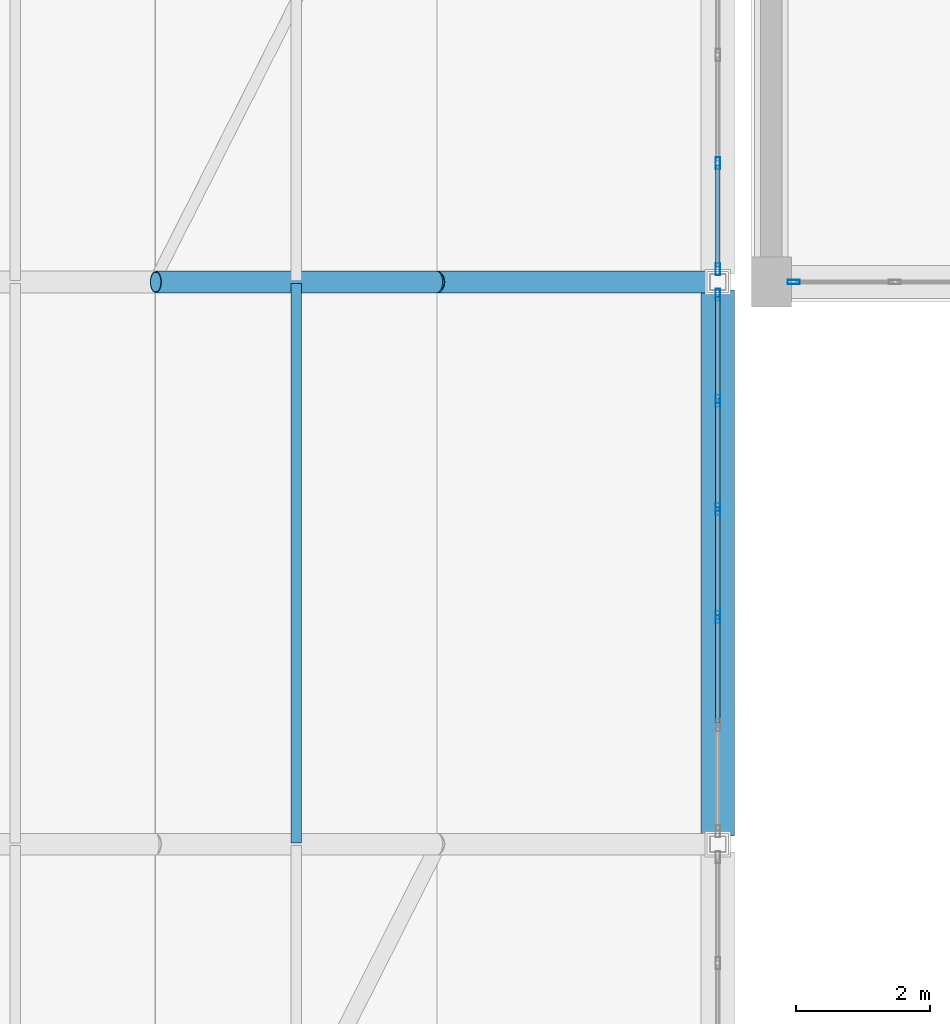
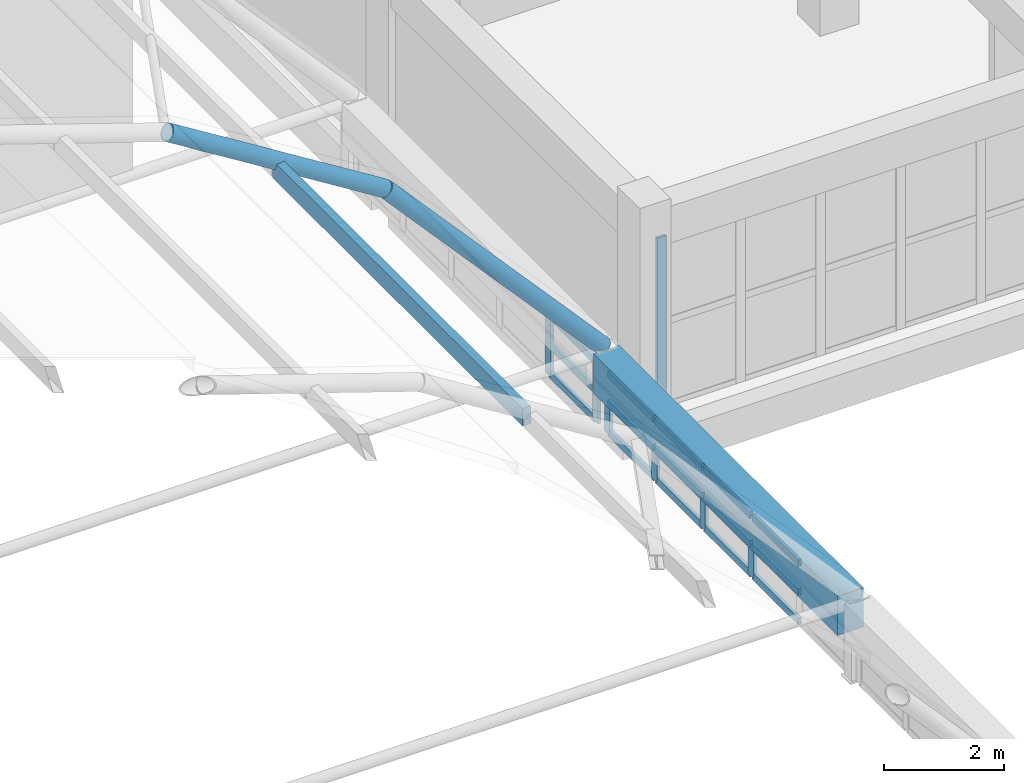
# One storey, part 69 of 114: 23 members, 3 beams, 3 elements without a shape of their own.
"""IFC4 building model written with IfcOpenShell, lengths in metres."""

from ifc_helpers import new_model, si_unit, direction, frame, origin, origin_2d, place, context, subcontext, project, spatial, rectangle, hollow_rectangle, hollow_circle, extrude, material, layer, layer_set, material_profile, profile_set, type_object, element, aggregate, save


model = new_model("IFC4")

# Units and contexts
model_context = context("Model", 3, precision=1e-05, world=origin(), true_north=direction((0.0, 1.0)))
body_context = subcontext(model_context, "Body", "Model", "MODEL_VIEW")
ifc_project = project(units=[si_unit("LENGTHUNIT", "METRE"), si_unit("AREAUNIT", "SQUARE_METRE"), si_unit("VOLUMEUNIT", "CUBIC_METRE"), si_unit("PLANEANGLEUNIT", "RADIAN"), si_unit("MASSUNIT", "GRAM", prefix="KILO")], contexts=[model_context])

# Site, building, storey
site_placement = place(None, origin())
site = spatial("IfcSite", under=ifc_project, at=site_placement, CompositionType="ELEMENT")
building_placement = place(site_placement, origin())
building = spatial("IfcBuilding", under=site, at=building_placement, Name="Xazarin Passage Department Store", CompositionType="ELEMENT")
storey_placement = place(building_placement, frame((0.0, 0.0, 14.39990234375)))
storey = spatial("IfcBuildingStorey", under=building, at=storey_placement, Name="L03", CompositionType="ELEMENT", Elevation=14.39990234375)

# Curtain wall, member
ifc_material_1 = material(Name="Bronze anodised aluminium", Category="aluminium")
ifc_layer_1 = layer(ifc_material_1, 0.1650390625)
ifc_layer_set_1 = layer_set([ifc_layer_1], Name="Bronze anodised aluminium")
curtain_wall_type_1 = type_object("IfcCurtainWallType", Name="ARC-CW-OFF1", PredefinedType="NOTDEFINED", material=ifc_layer_set_1)
curtain_wall_1_placement = place(storey_placement, origin())
curtain_wall_1 = element("IfcCurtainWall", 1, at=curtain_wall_1_placement, inside=storey, type_object=curtain_wall_type_1, Name="L03 V4 Curtain Wall 135", PredefinedType="NOTDEFINED")
ifc_material_profile_1 = material_profile(ifc_material_1, hollow_rectangle(XDim=0.06494140625, YDim=0.179931640625, WallThickness=0.00390625, at=origin_2d()), Name="ALU 65x180")
ifc_profile_set_1 = profile_set([ifc_material_profile_1], Name="Bronze anodised aluminium")
member_type_1 = type_object("IfcMemberType", Name="ARC-CWM-65x180", PredefinedType="MULLION", material=ifc_profile_set_1)
member_1_placement = place(storey_placement, frame((102.732421875, 84.800048828125, 0.0), z_axis=(0.0, 0.0, 1.0), x_axis=(0.0, 1.0, 0.0)))
member_1 = element("IfcMember", 2, at=member_1_placement, type_object=member_type_1, Name="CW6 mullion 1", PredefinedType="MULLION", context=body_context, shape_type="SweptSolid", body=[
    extrude(hollow_rectangle(XDim=0.06494140625, YDim=0.179931640625, WallThickness=0.00390625, at=origin_2d()), origin(), (0.0, 0.0, 1.0), 3.489990234375),
])
aggregate(curtain_wall_1, [member_1])

# Curtain wall, members
ifc_layer_2 = layer(ifc_material_1, 0.159912109375)
ifc_layer_set_2 = layer_set([ifc_layer_2], Name="Bronze anodised aluminium")
curtain_wall_type_2 = type_object("IfcCurtainWallType", Name="ARC-CW-ARC1", PredefinedType="NOTDEFINED", material=ifc_layer_set_2)
curtain_wall_2_placement = place(storey_placement, origin())
curtain_wall_2 = element("IfcCurtainWall", 3, at=curtain_wall_2_placement, inside=storey, type_object=curtain_wall_type_2, Name="L03 V2N Galleria Clerestory Curtain Wall 4E", PredefinedType="NOTDEFINED")
member_2_placement = place(storey_placement, frame((101.60009765625, 79.7919921875, 0.0), z_axis=(0.0, 0.0, 1.0), x_axis=(-1.0, 0.0, 0.0)))
member_2 = element("IfcMember", 4, at=member_2_placement, type_object=member_type_1, Name="CW3 mullion 3", PredefinedType="MULLION", context=body_context, shape_type="SweptSolid", body=[
    extrude(hollow_rectangle(XDim=0.06494140625, YDim=0.179931640625, WallThickness=0.00390625, at=origin_2d()), origin(), (0.0, 0.0, 1.0), 1.251708984375),
])
member_3_placement = place(storey_placement, frame((101.60009765625, 81.407958984375, 0.0), z_axis=(0.0, 0.0, 1.0), x_axis=(-1.0, 0.0, 0.0)))
member_3 = element("IfcMember", 5, at=member_3_placement, type_object=member_type_1, Name="CW3 mullion 4", PredefinedType="MULLION", context=body_context, shape_type="SweptSolid", body=[
    extrude(hollow_rectangle(XDim=0.06494140625, YDim=0.179931640625, WallThickness=0.00390625, at=origin_2d()), origin(), (0.0, 0.0, 1.0), 1.251708984375),
])
member_4_placement = place(storey_placement, frame((101.60009765625, 83.02392578125, 0.0), z_axis=(0.0, 0.0, 1.0), x_axis=(-1.0, 0.0, 0.0)))
member_4 = element("IfcMember", 6, at=member_4_placement, type_object=member_type_1, Name="CW3 mullion 5", PredefinedType="MULLION", context=body_context, shape_type="SweptSolid", body=[
    extrude(hollow_rectangle(XDim=0.06494140625, YDim=0.179931640625, WallThickness=0.00390625, at=origin_2d()), origin(), (0.0, 0.0, 1.0), 1.251708984375),
])
member_5_placement = place(storey_placement, frame((101.60009765625, 84.607421875, 0.0), z_axis=(0.0, 0.0, 1.0), x_axis=(-1.0, 0.0, 0.0)))
member_5 = element("IfcMember", 7, at=member_5_placement, type_object=member_type_1, Name="CW3 mullion 6", PredefinedType="MULLION", context=body_context, shape_type="SweptSolid", body=[
    extrude(hollow_rectangle(XDim=0.06494140625, YDim=0.179931640625, WallThickness=0.00390625, at=origin_2d()), origin(), (0.0, 0.0, 1.0), 1.251708984375),
])

curtain_wall_3_placement = place(storey_placement, origin())
curtain_wall_3 = element("IfcCurtainWall", 8, at=curtain_wall_3_placement, inside=storey, type_object=curtain_wall_type_2, Name="L03 V2N Galleria Clerestory Curtain Wall 5E", PredefinedType="NOTDEFINED")
member_6_placement = place(storey_placement, frame((101.60009765625, 84.992431640625, 0.0), z_axis=(0.0, 0.0, 1.0), x_axis=(-1.0, 0.0, 0.0)))
member_6 = element("IfcMember", 9, at=member_6_placement, type_object=member_type_1, Name="CW3 mullion 1", PredefinedType="MULLION", context=body_context, shape_type="SweptSolid", body=[
    extrude(hollow_rectangle(XDim=0.06494140625, YDim=0.179931640625, WallThickness=0.00390625, at=origin_2d()), origin(), (0.0, 0.0, 1.0), 1.251708984375),
])
member_7_placement = place(storey_placement, frame((101.60009765625, 86.575927734375, 0.0), z_axis=(0.0, 0.0, 1.0), x_axis=(-1.0, 0.0, 0.0)))
member_7 = element("IfcMember", 10, at=member_7_placement, type_object=member_type_1, Name="CW3 mullion 2", PredefinedType="MULLION", context=body_context, shape_type="SweptSolid", body=[
    extrude(hollow_rectangle(XDim=0.06494140625, YDim=0.179931640625, WallThickness=0.00390625, at=origin_2d()), origin(), (0.0, 0.0, 1.0), 1.251708984375),
])

# Member
ifc_material_profile_2 = material_profile(ifc_material_1, hollow_rectangle(XDim=0.06494140625, YDim=0.139892578125, WallThickness=0.00390625, at=origin_2d()), Name="ALU 65x140")
ifc_profile_set_2 = profile_set([ifc_material_profile_2], Name="Bronze anodised aluminium")
member_type_2 = type_object("IfcMemberType", Name="ARC-CWT-65x140", PredefinedType="USERDEFINED", material=ifc_profile_set_2)
member_8_placement = place(storey_placement, frame((101.60009765625, 78.20849609375, 0.03271484375), z_axis=(0.0, 1.0, 0.0), x_axis=(-1.0, 0.0, 0.0)))
member_8 = element("IfcMember", 11, at=member_8_placement, type_object=member_type_2, Name="CW3 transom 2.1", ObjectType="TRANSOM", PredefinedType="USERDEFINED", context=body_context, shape_type="SweptSolid", body=[
    extrude(hollow_rectangle(XDim=0.06494140625, YDim=0.139892578125, WallThickness=0.00390625, at=origin_2d()), origin(), (0.0, 0.0, 1.0), 1.551025390625),
])

member_9_placement = place(storey_placement, frame((101.60009765625, 78.20849609375, 0.6259765625), z_axis=(0.0, 1.0, 0.0), x_axis=(-1.0, 0.0, 0.0)))
member_9 = element("IfcMember", 12, at=member_9_placement, type_object=member_type_2, Name="CW3 transom 2.2", ObjectType="TRANSOM", PredefinedType="USERDEFINED", context=body_context, shape_type="SweptSolid", body=[
    extrude(hollow_rectangle(XDim=0.06494140625, YDim=0.139892578125, WallThickness=0.00390625, at=origin_2d()), origin(), (0.0, 0.0, 1.0), 1.551025390625),
])

member_10_placement = place(storey_placement, frame((101.60009765625, 78.20849609375, 1.21923828125), z_axis=(0.0, 1.0, 0.0), x_axis=(-1.0, 0.0, 0.0)))
member_10 = element("IfcMember", 13, at=member_10_placement, type_object=member_type_2, Name="CW3 transom 2.3", ObjectType="TRANSOM", PredefinedType="USERDEFINED", context=body_context, shape_type="SweptSolid", body=[
    extrude(hollow_rectangle(XDim=0.06494140625, YDim=0.139892578125, WallThickness=0.00390625, at=origin_2d()), origin(), (0.0, 0.0, 1.0), 1.551025390625),
])

member_11_placement = place(storey_placement, frame((101.60009765625, 79.824462890625, 0.03271484375), z_axis=(0.0, 1.0, 0.0), x_axis=(-1.0, 0.0, 0.0)))
member_11 = element("IfcMember", 14, at=member_11_placement, type_object=member_type_2, Name="CW3 transom 3.1", ObjectType="TRANSOM", PredefinedType="USERDEFINED", context=body_context, shape_type="SweptSolid", body=[
    extrude(hollow_rectangle(XDim=0.06494140625, YDim=0.139892578125, WallThickness=0.00390625, at=origin_2d()), origin(), (0.0, 0.0, 1.0), 1.551025390625),
])

member_12_placement = place(storey_placement, frame((101.60009765625, 79.824462890625, 0.6259765625), z_axis=(0.0, 1.0, 0.0), x_axis=(-1.0, 0.0, 0.0)))
member_12 = element("IfcMember", 15, at=member_12_placement, type_object=member_type_2, Name="CW3 transom 3.2", ObjectType="TRANSOM", PredefinedType="USERDEFINED", context=body_context, shape_type="SweptSolid", body=[
    extrude(hollow_rectangle(XDim=0.06494140625, YDim=0.139892578125, WallThickness=0.00390625, at=origin_2d()), origin(), (0.0, 0.0, 1.0), 1.551025390625),
])

member_13_placement = place(storey_placement, frame((101.60009765625, 79.824462890625, 1.21923828125), z_axis=(0.0, 1.0, 0.0), x_axis=(-1.0, 0.0, 0.0)))
member_13 = element("IfcMember", 16, at=member_13_placement, type_object=member_type_2, Name="CW3 transom 3.3", ObjectType="TRANSOM", PredefinedType="USERDEFINED", context=body_context, shape_type="SweptSolid", body=[
    extrude(hollow_rectangle(XDim=0.06494140625, YDim=0.139892578125, WallThickness=0.00390625, at=origin_2d()), origin(), (0.0, 0.0, 1.0), 1.551025390625),
])

member_14_placement = place(storey_placement, frame((101.60009765625, 81.4404296875, 0.03271484375), z_axis=(0.0, 1.0, 0.0), x_axis=(-1.0, 0.0, 0.0)))
member_14 = element("IfcMember", 17, at=member_14_placement, type_object=member_type_2, Name="CW3 transom 4.1", ObjectType="TRANSOM", PredefinedType="USERDEFINED", context=body_context, shape_type="SweptSolid", body=[
    extrude(hollow_rectangle(XDim=0.06494140625, YDim=0.139892578125, WallThickness=0.00390625, at=origin_2d()), origin(), (0.0, 0.0, 1.0), 1.551025390625),
])

member_15_placement = place(storey_placement, frame((101.60009765625, 81.4404296875, 0.6259765625), z_axis=(0.0, 1.0, 0.0), x_axis=(-1.0, 0.0, 0.0)))
member_15 = element("IfcMember", 18, at=member_15_placement, type_object=member_type_2, Name="CW3 transom 4.2", ObjectType="TRANSOM", PredefinedType="USERDEFINED", context=body_context, shape_type="SweptSolid", body=[
    extrude(hollow_rectangle(XDim=0.06494140625, YDim=0.139892578125, WallThickness=0.00390625, at=origin_2d()), origin(), (0.0, 0.0, 1.0), 1.551025390625),
])

member_16_placement = place(storey_placement, frame((101.60009765625, 81.4404296875, 1.21923828125), z_axis=(0.0, 1.0, 0.0), x_axis=(-1.0, 0.0, 0.0)))
member_16 = element("IfcMember", 19, at=member_16_placement, type_object=member_type_2, Name="CW3 transom 4.3", ObjectType="TRANSOM", PredefinedType="USERDEFINED", context=body_context, shape_type="SweptSolid", body=[
    extrude(hollow_rectangle(XDim=0.06494140625, YDim=0.139892578125, WallThickness=0.00390625, at=origin_2d()), origin(), (0.0, 0.0, 1.0), 1.551025390625),
])

member_17_placement = place(storey_placement, frame((101.60009765625, 83.056396484375, 0.03271484375), z_axis=(0.0, 1.0, 0.0), x_axis=(-1.0, 0.0, 0.0)))
member_17 = element("IfcMember", 20, at=member_17_placement, type_object=member_type_2, Name="CW3 transom 5.1", ObjectType="TRANSOM", PredefinedType="USERDEFINED", context=body_context, shape_type="SweptSolid", body=[
    extrude(hollow_rectangle(XDim=0.06494140625, YDim=0.139892578125, WallThickness=0.00390625, at=origin_2d()), origin(), (0.0, 0.0, 1.0), 1.5185546875),
])

member_18_placement = place(storey_placement, frame((101.60009765625, 83.056396484375, 0.6259765625), z_axis=(0.0, 1.0, 0.0), x_axis=(-1.0, 0.0, 0.0)))
member_18 = element("IfcMember", 21, at=member_18_placement, type_object=member_type_2, Name="CW3 transom 5.2", ObjectType="TRANSOM", PredefinedType="USERDEFINED", context=body_context, shape_type="SweptSolid", body=[
    extrude(hollow_rectangle(XDim=0.06494140625, YDim=0.139892578125, WallThickness=0.00390625, at=origin_2d()), origin(), (0.0, 0.0, 1.0), 1.5185546875),
])

member_19_placement = place(storey_placement, frame((101.60009765625, 83.056396484375, 1.21923828125), z_axis=(0.0, 1.0, 0.0), x_axis=(-1.0, 0.0, 0.0)))
member_19 = element("IfcMember", 22, at=member_19_placement, type_object=member_type_2, Name="CW3 transom 5.3", ObjectType="TRANSOM", PredefinedType="USERDEFINED", context=body_context, shape_type="SweptSolid", body=[
    extrude(hollow_rectangle(XDim=0.06494140625, YDim=0.139892578125, WallThickness=0.00390625, at=origin_2d()), origin(), (0.0, 0.0, 1.0), 1.5185546875),
])

aggregate(curtain_wall_2, [member_2, member_3, member_4, member_5, member_8, member_9, member_10, member_11, member_12, member_13, member_14, member_15, member_16, member_17, member_18, member_19])

member_20_placement = place(storey_placement, frame((101.60009765625, 85.02490234375, 0.03271484375), z_axis=(0.0, 1.0, 0.0), x_axis=(-1.0, 0.0, 0.0)))
member_20 = element("IfcMember", 23, at=member_20_placement, type_object=member_type_2, Name="CW3 transom 1.1", ObjectType="TRANSOM", PredefinedType="USERDEFINED", context=body_context, shape_type="SweptSolid", body=[
    extrude(hollow_rectangle(XDim=0.06494140625, YDim=0.139892578125, WallThickness=0.00390625, at=origin_2d()), origin(), (0.0, 0.0, 1.0), 1.5185546875),
])

member_21_placement = place(storey_placement, frame((101.60009765625, 85.02490234375, 0.6259765625), z_axis=(0.0, 1.0, 0.0), x_axis=(-1.0, 0.0, 0.0)))
member_21 = element("IfcMember", 24, at=member_21_placement, type_object=member_type_2, Name="CW3 transom 1.2", ObjectType="TRANSOM", PredefinedType="USERDEFINED", context=body_context, shape_type="SweptSolid", body=[
    extrude(hollow_rectangle(XDim=0.06494140625, YDim=0.139892578125, WallThickness=0.00390625, at=origin_2d()), origin(), (0.0, 0.0, 1.0), 1.5185546875),
])

member_22_placement = place(storey_placement, frame((101.60009765625, 85.02490234375, 1.21923828125), z_axis=(0.0, 1.0, 0.0), x_axis=(-1.0, 0.0, 0.0)))
member_22 = element("IfcMember", 25, at=member_22_placement, type_object=member_type_2, Name="CW3 transom 1.3", ObjectType="TRANSOM", PredefinedType="USERDEFINED", context=body_context, shape_type="SweptSolid", body=[
    extrude(hollow_rectangle(XDim=0.06494140625, YDim=0.139892578125, WallThickness=0.00390625, at=origin_2d()), origin(), (0.0, 0.0, 1.0), 1.5185546875),
])

aggregate(curtain_wall_3, [member_6, member_7, member_20, member_21, member_22])

# Beams
ifc_material_2 = material(Name="Steel S355", Category="steel")
ifc_material_profile_3 = material_profile(ifc_material_2, hollow_circle(Radius=0.161865234375, WallThickness=0.01611328125, at=origin_2d()), Name="CHS 323.9x16")
ifc_profile_set_3 = profile_set([ifc_material_profile_3], Name="Steel S355")
beam_type_1 = type_object("IfcBeamType", Name="STR-BM-AR324", PredefinedType="BEAM", material=ifc_profile_set_3)
beam_1_placement = place(storey_placement, frame((93.199951171875, 84.800048828125, 8.95068359375), z_axis=(0.848571440894, 0.0, -0.529080815848), x_axis=(0.0, 1.0, 0.0)))
element("IfcBeam", 26, at=beam_1_placement, inside=storey, type_object=beam_type_1, Name="V2N Primary Arch Rib 5.7", PredefinedType="BEAM", context=body_context, shape_type="SweptSolid", body=[
    extrude(hollow_circle(Radius=0.161865234375, WallThickness=0.01611328125, at=origin_2d()), origin(), (0.0, 0.0, 1.0), 4.949462890625),
])
beam_2_placement = place(storey_placement, frame((97.39990234375, 84.800048828125, 6.33203125), z_axis=(0.667913050078, 0.0, -0.744239314694), x_axis=(0.0, 1.0, 0.0)))
element("IfcBeam", 27, at=beam_2_placement, inside=storey, type_object=beam_type_1, Name="V2N Primary Arch Rib 5.8", PredefinedType="BEAM", context=body_context, shape_type="SweptSolid", body=[
    extrude(hollow_circle(Radius=0.161865234375, WallThickness=0.01611328125, at=origin_2d()), origin(), (0.0, 0.0, 1.0), 6.28857421875),
])
ifc_material_3 = material(Name="Concrete C40/50", Category="concrete")
ifc_material_profile_4 = material_profile(ifc_material_3, rectangle(XDim=0.5, YDim=0.800048828125, at=origin_2d()), Name="RC 500x800")
ifc_profile_set_4 = profile_set([ifc_material_profile_4], Name="Concrete C40/50")
beam_type_2 = type_object("IfcBeamType", Name="STR-BM-RG500x800", PredefinedType="BEAM", material=ifc_profile_set_4)
beam_3_placement = place(storey_placement, frame((101.60009765625, 76.52001953125, 1.251708984375), z_axis=(0.0, 1.0, 0.0), x_axis=(-1.0, 0.0, 0.0)))
element("IfcBeam", 28, at=beam_3_placement, inside=storey, type_object=beam_type_2, Name="V2N Springing Ring Girder E-4", PredefinedType="BEAM", context=body_context, shape_type="SweptSolid", body=[
    extrude(rectangle(XDim=0.5, YDim=0.800048828125, at=origin_2d()), origin(), (0.0, 0.0, 1.0), 8.159912109375),
])

# Member
ifc_material_4 = material(Name="Glulam GL28h", Category="wood")
ifc_material_profile_5 = material_profile(ifc_material_4, rectangle(XDim=0.159912109375, YDim=0.360107421875, at=origin_2d()), Name="GL28h 160x360")
ifc_profile_set_5 = profile_set([ifc_material_profile_5], Name="Glulam GL28h")
member_type_3 = type_object("IfcMemberType", Name="STR-MEM-GL360", PredefinedType="PURLIN", material=ifc_profile_set_5)
member_23_placement = place(storey_placement, frame((95.300048828125, 76.419921875, 7.50341796875), z_axis=(0.0, 1.0, 0.0), x_axis=(-1.0, 0.0, 0.0)))
element("IfcMember", 29, at=member_23_placement, inside=storey, type_object=member_type_3, Name="V2N Glulam Gridshell Purlin 4.7", PredefinedType="PURLIN", context=body_context, shape_type="SweptSolid", body=[
    extrude(rectangle(XDim=0.159912109375, YDim=0.360107421875, at=origin_2d()), origin(), (0.0, 0.0, 1.0), 8.360107421875),
])

save(model, "model.ifc")
